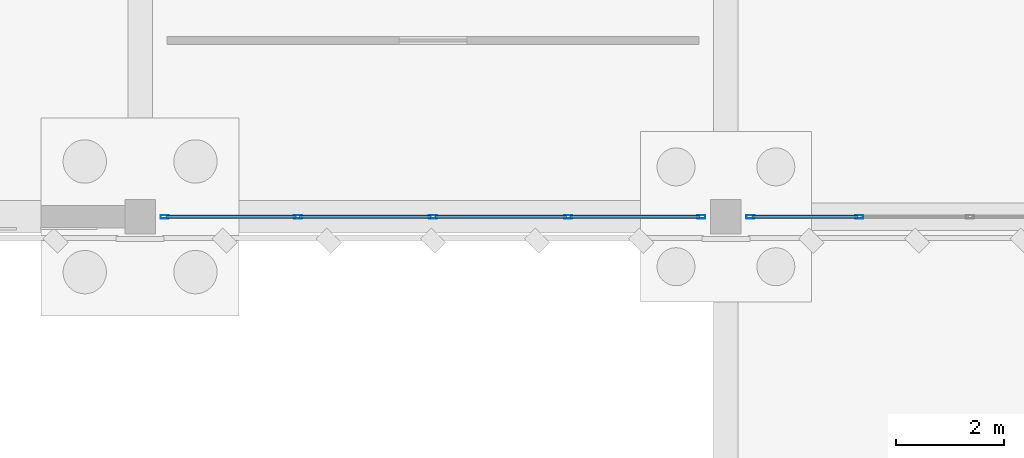
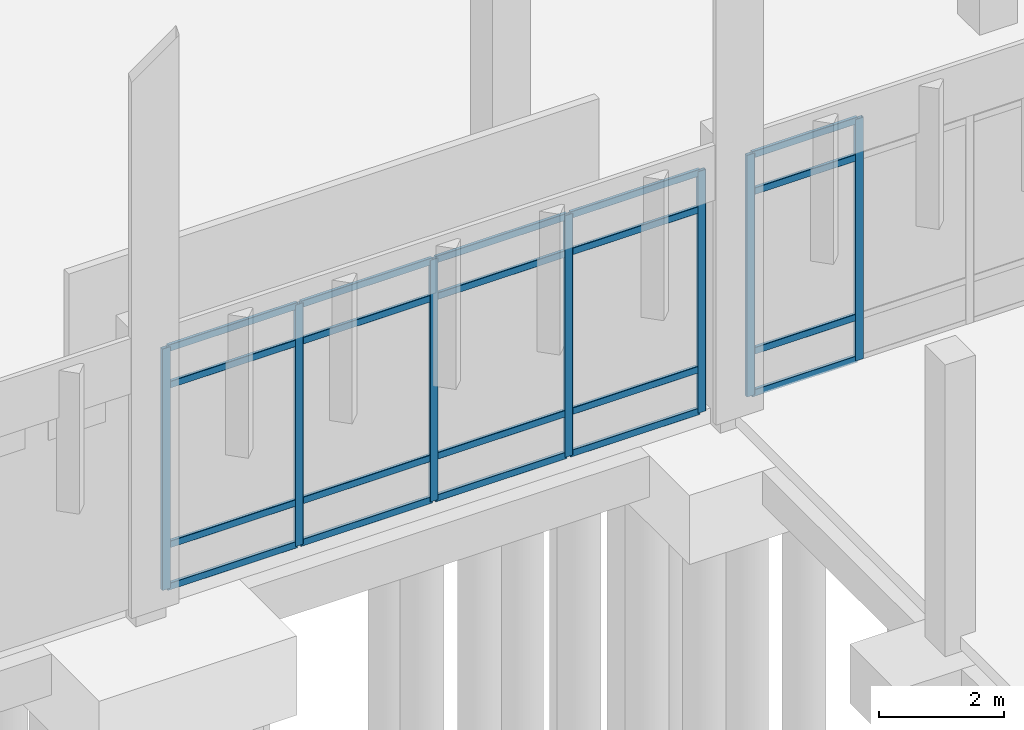
# One storey, part 51 of 109: 27 members, 2 elements without a shape of their own.
"""IFC4 building model written with IfcOpenShell, lengths in metres."""

from ifc_helpers import new_model, si_unit, direction, frame, origin, origin_2d, place, context, subcontext, project, spatial, hollow_rectangle, extrude, material, material_profile, profile_set, type_object, element, aggregate, save


model = new_model("IFC4")

# Units and contexts
model_context = context("Model", 3, precision=1e-05, world=origin(), true_north=direction((0.0, 1.0)))
body_context = subcontext(model_context, "Body", "Model", "MODEL_VIEW")
ifc_project = project(units=[si_unit("LENGTHUNIT", "METRE"), si_unit("AREAUNIT", "SQUARE_METRE"), si_unit("VOLUMEUNIT", "CUBIC_METRE"), si_unit("PLANEANGLEUNIT", "RADIAN"), si_unit("MASSUNIT", "GRAM", prefix="KILO")], contexts=[model_context])

# Site, building, storey
site_placement = place(None, origin())
site = spatial("IfcSite", under=ifc_project, at=site_placement, CompositionType="ELEMENT")
building_placement = place(site_placement, origin())
building = spatial("IfcBuilding", under=site, at=building_placement, Name="Lusvemor Sports Hall", CompositionType="ELEMENT")
storey_placement = place(building_placement, origin())
storey = spatial("IfcBuildingStorey", under=building, at=storey_placement, Name="L00", CompositionType="ELEMENT", Elevation=0.0)

# Curtain wall, members
ifc_material_1 = material(Name="Thermally broken bronze-anodized aluminium", Category="aluminium")
curtain_wall_type = type_object("IfcCurtainWallType", Name="CW_WING_B", PredefinedType="NOTDEFINED", material=ifc_material_1)
curtain_wall_1_placement = place(storey_placement, origin())
curtain_wall_1 = element("IfcCurtainWall", 1, at=curtain_wall_1_placement, inside=storey, type_object=curtain_wall_type, Name="Curtain Wall CW-L00-S-3-4", PredefinedType="NOTDEFINED")
ifc_material_2 = material(Name="Thermally broken bronze-anodized aluminium", Category="aluminium")
ifc_material_profile_1 = material_profile(ifc_material_2, hollow_rectangle(XDim=0.06494140625, YDim=0.14990234375, WallThickness=0.00390625, InnerFilletRadius=0.00390625, OuterFilletRadius=0.008056640625, at=origin_2d()), Name="CWMUL150x65x4")
ifc_profile_set_1 = profile_set([ifc_material_profile_1], Name="Thermally broken bronze-anodized aluminium")
member_type_1 = type_object("IfcMemberType", Name="CW_MUL_B", PredefinedType="MULLION", material=ifc_profile_set_1)
member_1_placement = place(storey_placement, frame((75.1474609375, 97.199951171875, 0.0), z_axis=(0.0, 0.0, 1.0), x_axis=(0.0, -1.0, 0.0)))
member_1 = element("IfcMember", 2, at=member_1_placement, type_object=member_type_1, Name="CW02 mullion 1", PredefinedType="MULLION", context=body_context, shape_type="SweptSolid", body=[
    extrude(hollow_rectangle(XDim=0.06494140625, YDim=0.14990234375, WallThickness=0.00390625, InnerFilletRadius=0.00390625, OuterFilletRadius=0.008056640625, at=origin_2d()), origin(), (0.0, 0.0, 1.0), 4.719970703125),
])
member_2_placement = place(storey_placement, frame((72.68994140625, 97.199951171875, 0.0), z_axis=(0.0, 0.0, 1.0), x_axis=(0.0, -1.0, 0.0)))
member_2 = element("IfcMember", 3, at=member_2_placement, type_object=member_type_1, Name="CW02 mullion 2", PredefinedType="MULLION", context=body_context, shape_type="SweptSolid", body=[
    extrude(hollow_rectangle(XDim=0.06494140625, YDim=0.14990234375, WallThickness=0.00390625, InnerFilletRadius=0.00390625, OuterFilletRadius=0.008056640625, at=origin_2d()), origin(), (0.0, 0.0, 1.0), 4.719970703125),
])
member_3_placement = place(storey_placement, frame((70.199951171875, 97.199951171875, 0.0), z_axis=(0.0, 0.0, 1.0), x_axis=(0.0, -1.0, 0.0)))
member_3 = element("IfcMember", 4, at=member_3_placement, type_object=member_type_1, Name="CW02 mullion 3", PredefinedType="MULLION", context=body_context, shape_type="SweptSolid", body=[
    extrude(hollow_rectangle(XDim=0.06494140625, YDim=0.14990234375, WallThickness=0.00390625, InnerFilletRadius=0.00390625, OuterFilletRadius=0.008056640625, at=origin_2d()), origin(), (0.0, 0.0, 1.0), 4.719970703125),
])
member_4_placement = place(storey_placement, frame((67.7099609375, 97.199951171875, 0.0), z_axis=(0.0, 0.0, 1.0), x_axis=(0.0, -1.0, 0.0)))
member_4 = element("IfcMember", 5, at=member_4_placement, type_object=member_type_1, Name="CW02 mullion 4", PredefinedType="MULLION", context=body_context, shape_type="SweptSolid", body=[
    extrude(hollow_rectangle(XDim=0.06494140625, YDim=0.14990234375, WallThickness=0.00390625, InnerFilletRadius=0.00390625, OuterFilletRadius=0.008056640625, at=origin_2d()), origin(), (0.0, 0.0, 1.0), 4.719970703125),
])
member_5_placement = place(storey_placement, frame((65.25244140625, 97.199951171875, 0.0), z_axis=(0.0, 0.0, 1.0), x_axis=(0.0, -1.0, 0.0)))
member_5 = element("IfcMember", 6, at=member_5_placement, type_object=member_type_1, Name="CW02 mullion 5", PredefinedType="MULLION", context=body_context, shape_type="SweptSolid", body=[
    extrude(hollow_rectangle(XDim=0.06494140625, YDim=0.14990234375, WallThickness=0.00390625, InnerFilletRadius=0.00390625, OuterFilletRadius=0.008056640625, at=origin_2d()), origin(), (0.0, 0.0, 1.0), 4.719970703125),
])

curtain_wall_2_placement = place(storey_placement, origin())
curtain_wall_2 = element("IfcCurtainWall", 7, at=curtain_wall_2_placement, inside=storey, type_object=curtain_wall_type, Name="Curtain Wall CW-L00-S-3-5", PredefinedType="NOTDEFINED")
member_6_placement = place(storey_placement, frame((78.06005859375, 97.199951171875, 0.0), z_axis=(0.0, 0.0, 1.0), x_axis=(0.0, -1.0, 0.0)))
member_6 = element("IfcMember", 8, at=member_6_placement, type_object=member_type_1, Name="CW02 mullion 4", PredefinedType="MULLION", context=body_context, shape_type="SweptSolid", body=[
    extrude(hollow_rectangle(XDim=0.06494140625, YDim=0.14990234375, WallThickness=0.00390625, InnerFilletRadius=0.00390625, OuterFilletRadius=0.008056640625, at=origin_2d()), origin(), (0.0, 0.0, 1.0), 4.719970703125),
])
member_7_placement = place(storey_placement, frame((76.052490234375, 97.199951171875, 0.0), z_axis=(0.0, 0.0, 1.0), x_axis=(0.0, -1.0, 0.0)))
member_7 = element("IfcMember", 9, at=member_7_placement, type_object=member_type_1, Name="CW02 mullion 5", PredefinedType="MULLION", context=body_context, shape_type="SweptSolid", body=[
    extrude(hollow_rectangle(XDim=0.06494140625, YDim=0.14990234375, WallThickness=0.00390625, InnerFilletRadius=0.00390625, OuterFilletRadius=0.008056640625, at=origin_2d()), origin(), (0.0, 0.0, 1.0), 4.719970703125),
])

# Member
ifc_material_3 = material(Name="Thermally broken bronze-anodized aluminium", Category="aluminium")
ifc_material_profile_2 = material_profile(ifc_material_3, hollow_rectangle(XDim=0.06005859375, YDim=0.135009765625, WallThickness=0.00390625, InnerFilletRadius=0.00390625, OuterFilletRadius=0.008056640625, at=origin_2d()), Name="CWTRN135x60x4")
ifc_profile_set_2 = profile_set([ifc_material_profile_2], Name="Thermally broken bronze-anodized aluminium")
member_type_2 = type_object("IfcMemberType", Name="CW_TRN_B", PredefinedType="USERDEFINED", material=ifc_profile_set_2)
member_8_placement = place(storey_placement, frame((75.114990234375, 97.199951171875, 0.030029296875), z_axis=(-1.0, 0.0, 0.0), x_axis=(0.0, -1.0, 0.0)))
member_8 = element("IfcMember", 10, at=member_8_placement, type_object=member_type_2, Name="CW02 transom 1.1", ObjectType="TRANSOM", PredefinedType="USERDEFINED", context=body_context, shape_type="SweptSolid", body=[
    extrude(hollow_rectangle(XDim=0.06005859375, YDim=0.135009765625, WallThickness=0.00390625, InnerFilletRadius=0.00390625, OuterFilletRadius=0.008056640625, at=origin_2d()), origin(), (0.0, 0.0, 1.0), 2.392578125),
])

member_9_placement = place(storey_placement, frame((75.114990234375, 97.199951171875, 0.85009765625), z_axis=(-1.0, 0.0, 0.0), x_axis=(0.0, -1.0, 0.0)))
member_9 = element("IfcMember", 11, at=member_9_placement, type_object=member_type_2, Name="CW02 transom 1.2", ObjectType="TRANSOM", PredefinedType="USERDEFINED", context=body_context, shape_type="SweptSolid", body=[
    extrude(hollow_rectangle(XDim=0.06005859375, YDim=0.135009765625, WallThickness=0.00390625, InnerFilletRadius=0.00390625, OuterFilletRadius=0.008056640625, at=origin_2d()), origin(), (0.0, 0.0, 1.0), 2.392578125),
])

member_10_placement = place(storey_placement, frame((75.114990234375, 97.199951171875, 3.969970703125), z_axis=(-1.0, 0.0, 0.0), x_axis=(0.0, -1.0, 0.0)))
member_10 = element("IfcMember", 12, at=member_10_placement, type_object=member_type_2, Name="CW02 transom 1.3", ObjectType="TRANSOM", PredefinedType="USERDEFINED", context=body_context, shape_type="SweptSolid", body=[
    extrude(hollow_rectangle(XDim=0.06005859375, YDim=0.135009765625, WallThickness=0.00390625, InnerFilletRadius=0.00390625, OuterFilletRadius=0.008056640625, at=origin_2d()), origin(), (0.0, 0.0, 1.0), 2.392578125),
])

member_11_placement = place(storey_placement, frame((75.114990234375, 97.199951171875, 4.68994140625), z_axis=(-1.0, 0.0, 0.0), x_axis=(0.0, -1.0, 0.0)))
member_11 = element("IfcMember", 13, at=member_11_placement, type_object=member_type_2, Name="CW02 transom 1.4", ObjectType="TRANSOM", PredefinedType="USERDEFINED", context=body_context, shape_type="SweptSolid", body=[
    extrude(hollow_rectangle(XDim=0.06005859375, YDim=0.135009765625, WallThickness=0.00390625, InnerFilletRadius=0.00390625, OuterFilletRadius=0.008056640625, at=origin_2d()), origin(), (0.0, 0.0, 1.0), 2.392578125),
])

member_12_placement = place(storey_placement, frame((72.657470703125, 97.199951171875, 0.030029296875), z_axis=(-1.0, 0.0, 0.0), x_axis=(0.0, -1.0, 0.0)))
member_12 = element("IfcMember", 14, at=member_12_placement, type_object=member_type_2, Name="CW02 transom 2.1", ObjectType="TRANSOM", PredefinedType="USERDEFINED", context=body_context, shape_type="SweptSolid", body=[
    extrude(hollow_rectangle(XDim=0.06005859375, YDim=0.135009765625, WallThickness=0.00390625, InnerFilletRadius=0.00390625, OuterFilletRadius=0.008056640625, at=origin_2d()), origin(), (0.0, 0.0, 1.0), 2.425048828125),
])

member_13_placement = place(storey_placement, frame((72.657470703125, 97.199951171875, 0.85009765625), z_axis=(-1.0, 0.0, 0.0), x_axis=(0.0, -1.0, 0.0)))
member_13 = element("IfcMember", 15, at=member_13_placement, type_object=member_type_2, Name="CW02 transom 2.2", ObjectType="TRANSOM", PredefinedType="USERDEFINED", context=body_context, shape_type="SweptSolid", body=[
    extrude(hollow_rectangle(XDim=0.06005859375, YDim=0.135009765625, WallThickness=0.00390625, InnerFilletRadius=0.00390625, OuterFilletRadius=0.008056640625, at=origin_2d()), origin(), (0.0, 0.0, 1.0), 2.425048828125),
])

member_14_placement = place(storey_placement, frame((72.657470703125, 97.199951171875, 3.969970703125), z_axis=(-1.0, 0.0, 0.0), x_axis=(0.0, -1.0, 0.0)))
member_14 = element("IfcMember", 16, at=member_14_placement, type_object=member_type_2, Name="CW02 transom 2.3", ObjectType="TRANSOM", PredefinedType="USERDEFINED", context=body_context, shape_type="SweptSolid", body=[
    extrude(hollow_rectangle(XDim=0.06005859375, YDim=0.135009765625, WallThickness=0.00390625, InnerFilletRadius=0.00390625, OuterFilletRadius=0.008056640625, at=origin_2d()), origin(), (0.0, 0.0, 1.0), 2.425048828125),
])

member_15_placement = place(storey_placement, frame((72.657470703125, 97.199951171875, 4.68994140625), z_axis=(-1.0, 0.0, 0.0), x_axis=(0.0, -1.0, 0.0)))
member_15 = element("IfcMember", 17, at=member_15_placement, type_object=member_type_2, Name="CW02 transom 2.4", ObjectType="TRANSOM", PredefinedType="USERDEFINED", context=body_context, shape_type="SweptSolid", body=[
    extrude(hollow_rectangle(XDim=0.06005859375, YDim=0.135009765625, WallThickness=0.00390625, InnerFilletRadius=0.00390625, OuterFilletRadius=0.008056640625, at=origin_2d()), origin(), (0.0, 0.0, 1.0), 2.425048828125),
])

member_16_placement = place(storey_placement, frame((70.16748046875, 97.199951171875, 0.030029296875), z_axis=(-1.0, 0.0, 0.0), x_axis=(0.0, -1.0, 0.0)))
member_16 = element("IfcMember", 18, at=member_16_placement, type_object=member_type_2, Name="CW02 transom 3.1", ObjectType="TRANSOM", PredefinedType="USERDEFINED", context=body_context, shape_type="SweptSolid", body=[
    extrude(hollow_rectangle(XDim=0.06005859375, YDim=0.135009765625, WallThickness=0.00390625, InnerFilletRadius=0.00390625, OuterFilletRadius=0.008056640625, at=origin_2d()), origin(), (0.0, 0.0, 1.0), 2.425048828125),
])

member_17_placement = place(storey_placement, frame((70.16748046875, 97.199951171875, 0.85009765625), z_axis=(-1.0, 0.0, 0.0), x_axis=(0.0, -1.0, 0.0)))
member_17 = element("IfcMember", 19, at=member_17_placement, type_object=member_type_2, Name="CW02 transom 3.2", ObjectType="TRANSOM", PredefinedType="USERDEFINED", context=body_context, shape_type="SweptSolid", body=[
    extrude(hollow_rectangle(XDim=0.06005859375, YDim=0.135009765625, WallThickness=0.00390625, InnerFilletRadius=0.00390625, OuterFilletRadius=0.008056640625, at=origin_2d()), origin(), (0.0, 0.0, 1.0), 2.425048828125),
])

member_18_placement = place(storey_placement, frame((70.16748046875, 97.199951171875, 3.969970703125), z_axis=(-1.0, 0.0, 0.0), x_axis=(0.0, -1.0, 0.0)))
member_18 = element("IfcMember", 20, at=member_18_placement, type_object=member_type_2, Name="CW02 transom 3.3", ObjectType="TRANSOM", PredefinedType="USERDEFINED", context=body_context, shape_type="SweptSolid", body=[
    extrude(hollow_rectangle(XDim=0.06005859375, YDim=0.135009765625, WallThickness=0.00390625, InnerFilletRadius=0.00390625, OuterFilletRadius=0.008056640625, at=origin_2d()), origin(), (0.0, 0.0, 1.0), 2.425048828125),
])

member_19_placement = place(storey_placement, frame((70.16748046875, 97.199951171875, 4.68994140625), z_axis=(-1.0, 0.0, 0.0), x_axis=(0.0, -1.0, 0.0)))
member_19 = element("IfcMember", 21, at=member_19_placement, type_object=member_type_2, Name="CW02 transom 3.4", ObjectType="TRANSOM", PredefinedType="USERDEFINED", context=body_context, shape_type="SweptSolid", body=[
    extrude(hollow_rectangle(XDim=0.06005859375, YDim=0.135009765625, WallThickness=0.00390625, InnerFilletRadius=0.00390625, OuterFilletRadius=0.008056640625, at=origin_2d()), origin(), (0.0, 0.0, 1.0), 2.425048828125),
])

member_20_placement = place(storey_placement, frame((67.677490234375, 97.199951171875, 0.030029296875), z_axis=(-1.0, 0.0, 0.0), x_axis=(0.0, -1.0, 0.0)))
member_20 = element("IfcMember", 22, at=member_20_placement, type_object=member_type_2, Name="CW02 transom 4.1", ObjectType="TRANSOM", PredefinedType="USERDEFINED", context=body_context, shape_type="SweptSolid", body=[
    extrude(hollow_rectangle(XDim=0.06005859375, YDim=0.135009765625, WallThickness=0.00390625, InnerFilletRadius=0.00390625, OuterFilletRadius=0.008056640625, at=origin_2d()), origin(), (0.0, 0.0, 1.0), 2.392578125),
])

member_21_placement = place(storey_placement, frame((67.677490234375, 97.199951171875, 0.85009765625), z_axis=(-1.0, 0.0, 0.0), x_axis=(0.0, -1.0, 0.0)))
member_21 = element("IfcMember", 23, at=member_21_placement, type_object=member_type_2, Name="CW02 transom 4.2", ObjectType="TRANSOM", PredefinedType="USERDEFINED", context=body_context, shape_type="SweptSolid", body=[
    extrude(hollow_rectangle(XDim=0.06005859375, YDim=0.135009765625, WallThickness=0.00390625, InnerFilletRadius=0.00390625, OuterFilletRadius=0.008056640625, at=origin_2d()), origin(), (0.0, 0.0, 1.0), 2.392578125),
])

member_22_placement = place(storey_placement, frame((67.677490234375, 97.199951171875, 3.969970703125), z_axis=(-1.0, 0.0, 0.0), x_axis=(0.0, -1.0, 0.0)))
member_22 = element("IfcMember", 24, at=member_22_placement, type_object=member_type_2, Name="CW02 transom 4.3", ObjectType="TRANSOM", PredefinedType="USERDEFINED", context=body_context, shape_type="SweptSolid", body=[
    extrude(hollow_rectangle(XDim=0.06005859375, YDim=0.135009765625, WallThickness=0.00390625, InnerFilletRadius=0.00390625, OuterFilletRadius=0.008056640625, at=origin_2d()), origin(), (0.0, 0.0, 1.0), 2.392578125),
])

member_23_placement = place(storey_placement, frame((67.677490234375, 97.199951171875, 4.68994140625), z_axis=(-1.0, 0.0, 0.0), x_axis=(0.0, -1.0, 0.0)))
member_23 = element("IfcMember", 25, at=member_23_placement, type_object=member_type_2, Name="CW02 transom 4.4", ObjectType="TRANSOM", PredefinedType="USERDEFINED", context=body_context, shape_type="SweptSolid", body=[
    extrude(hollow_rectangle(XDim=0.06005859375, YDim=0.135009765625, WallThickness=0.00390625, InnerFilletRadius=0.00390625, OuterFilletRadius=0.008056640625, at=origin_2d()), origin(), (0.0, 0.0, 1.0), 2.392578125),
])

aggregate(curtain_wall_1, [member_1, member_2, member_3, member_4, member_5, member_8, member_9, member_10, member_11, member_12, member_13, member_14, member_15, member_16, member_17, member_18, member_19, member_20, member_21, member_22, member_23])

member_24_placement = place(storey_placement, frame((78.027587890625, 97.199951171875, 0.030029296875), z_axis=(-1.0, 0.0, 0.0), x_axis=(0.0, -1.0, 0.0)))
member_24 = element("IfcMember", 26, at=member_24_placement, type_object=member_type_2, Name="CW02 transom 4.1", ObjectType="TRANSOM", PredefinedType="USERDEFINED", context=body_context, shape_type="SweptSolid", body=[
    extrude(hollow_rectangle(XDim=0.06005859375, YDim=0.135009765625, WallThickness=0.00390625, InnerFilletRadius=0.00390625, OuterFilletRadius=0.008056640625, at=origin_2d()), origin(), (0.0, 0.0, 1.0), 1.942626953125),
])

member_25_placement = place(storey_placement, frame((78.027587890625, 97.199951171875, 0.85009765625), z_axis=(-1.0, 0.0, 0.0), x_axis=(0.0, -1.0, 0.0)))
member_25 = element("IfcMember", 27, at=member_25_placement, type_object=member_type_2, Name="CW02 transom 4.2", ObjectType="TRANSOM", PredefinedType="USERDEFINED", context=body_context, shape_type="SweptSolid", body=[
    extrude(hollow_rectangle(XDim=0.06005859375, YDim=0.135009765625, WallThickness=0.00390625, InnerFilletRadius=0.00390625, OuterFilletRadius=0.008056640625, at=origin_2d()), origin(), (0.0, 0.0, 1.0), 1.942626953125),
])

member_26_placement = place(storey_placement, frame((78.027587890625, 97.199951171875, 3.969970703125), z_axis=(-1.0, 0.0, 0.0), x_axis=(0.0, -1.0, 0.0)))
member_26 = element("IfcMember", 28, at=member_26_placement, type_object=member_type_2, Name="CW02 transom 4.3", ObjectType="TRANSOM", PredefinedType="USERDEFINED", context=body_context, shape_type="SweptSolid", body=[
    extrude(hollow_rectangle(XDim=0.06005859375, YDim=0.135009765625, WallThickness=0.00390625, InnerFilletRadius=0.00390625, OuterFilletRadius=0.008056640625, at=origin_2d()), origin(), (0.0, 0.0, 1.0), 1.942626953125),
])

member_27_placement = place(storey_placement, frame((78.027587890625, 97.199951171875, 4.68994140625), z_axis=(-1.0, 0.0, 0.0), x_axis=(0.0, -1.0, 0.0)))
member_27 = element("IfcMember", 29, at=member_27_placement, type_object=member_type_2, Name="CW02 transom 4.4", ObjectType="TRANSOM", PredefinedType="USERDEFINED", context=body_context, shape_type="SweptSolid", body=[
    extrude(hollow_rectangle(XDim=0.06005859375, YDim=0.135009765625, WallThickness=0.00390625, InnerFilletRadius=0.00390625, OuterFilletRadius=0.008056640625, at=origin_2d()), origin(), (0.0, 0.0, 1.0), 1.942626953125),
])

aggregate(curtain_wall_2, [member_6, member_7, member_24, member_25, member_26, member_27])

save(model, "model.ifc")
